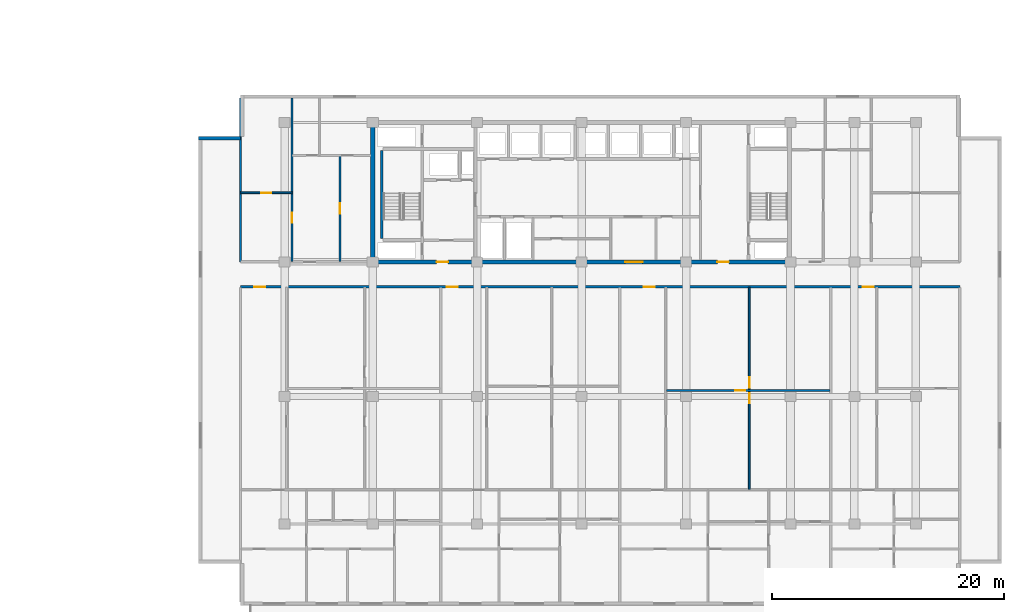
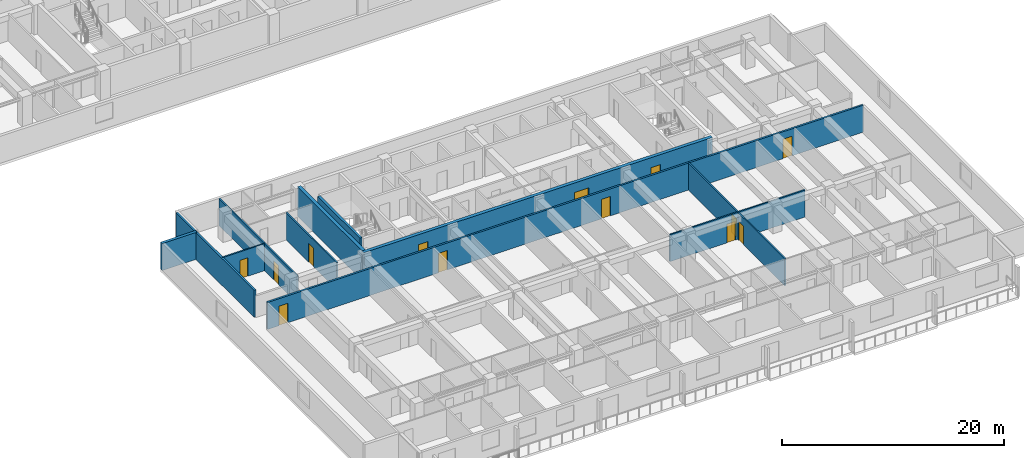
# One storey, part 5 of 23: 13 doors, 11 walls, 13 openings.
"""IFC4 building model written with IfcOpenShell, lengths in metres."""

from ifc_helpers import new_model, si_unit, direction, frame, frame_2d, origin, place, context, subcontext, project, spatial, rectangle, extrude, material, layer, layer_set, type_object, element, fill, save


model = new_model("IFC4")

# Units and contexts
model_context = context("Model", 3, precision=1e-05, world=origin(), true_north=direction((0.0, 1.0)))
body_context = subcontext(model_context, "Body", "Model", "MODEL_VIEW")
ifc_project = project(units=[si_unit("LENGTHUNIT", "METRE"), si_unit("AREAUNIT", "SQUARE_METRE"), si_unit("VOLUMEUNIT", "CUBIC_METRE"), si_unit("PLANEANGLEUNIT", "RADIAN"), si_unit("MASSUNIT", "GRAM", prefix="KILO")], contexts=[model_context])

# Site, building, storey
site_placement = place(None, origin())
site = spatial("IfcSite", under=ifc_project, at=site_placement, CompositionType="ELEMENT")
building_placement = place(site_placement, origin())
building = spatial("IfcBuilding", under=site, at=building_placement, Name="Korimba Cascade Residences", CompositionType="ELEMENT")
storey_placement = place(building_placement, frame((0.0, 0.0, 50.0)))
storey = spatial("IfcBuildingStorey", under=building, at=storey_placement, Name="L13", CompositionType="ELEMENT", Elevation=50.0)

# Walls
ifc_material_1 = material(Name="Precast concrete C40/50", Category="concrete")
ifc_layer_1 = layer(ifc_material_1, 0.300048828125)
ifc_layer_set_1 = layer_set([ifc_layer_1], Name="Precast concrete C40/50")
wall_type_1 = type_object("IfcWallType", Name="EW-STONE-300", PredefinedType="STANDARD", material=ifc_layer_set_1)
wall_1_placement = place(storey_placement, frame((70.699951171875, 29.050048828125, 0.0), z_axis=(0.0, 0.0, 1.0), x_axis=(-1.0, 0.0, 0.0)))
element("IfcWall", 1, at=wall_1_placement, inside=storey, type_object=wall_type_1, Name="L13 T2 Perimeter Stone Wall E08", PredefinedType="STANDARD", context=body_context, shape_type="SweptSolid", body=[
    extrude(rectangle(XDim=3.599853515625, YDim=0.300048828125, at=frame_2d((1.7998046875, 0.0))), origin(), (0.0, 0.0, 1.0), 2.969970703125),
])
ifc_material_2 = material(Name="Concrete C65/80", Category="concrete")
ifc_layer_2 = layer(ifc_material_2, 0.35009765625)
ifc_layer_set_2 = layer_set([ifc_layer_2], Name="Concrete C65/80")
wall_type_2 = type_object("IfcWallType", Name="WAL-CORE-350", PredefinedType="SHEAR", material=ifc_layer_set_2)
wall_2_placement = place(storey_placement, frame((82.10009765625, 18.574951171875, 0.0), z_axis=(0.0, 0.0, 1.0), x_axis=(0.0, 1.0, 0.0)))
element("IfcWall", 2, at=wall_2_placement, inside=storey, type_object=wall_type_2, Name="L13 Core Shear Wall CW-L13-T2-W", PredefinedType="SHEAR", context=body_context, shape_type="SweptSolid", body=[
    extrude(rectangle(XDim=11.650146484375, YDim=0.35009765625, at=frame_2d((5.8251953125, 0.0))), origin(), (0.0, 0.0, 1.0), 3.25),
])

# Wall, openings, doors
wall_3_placement = place(storey_placement, frame((81.925048828125, 18.39990234375, 0.0), z_axis=(0.0, 0.0, 1.0), x_axis=(1.0, 0.0, 0.0)))
wall_3 = element("IfcWall", 3, at=wall_3_placement, inside=storey, type_object=wall_type_2, Name="L13 Core Shear Wall CW-L13-T2-S", PredefinedType="SHEAR", context=body_context, shape_type="SweptSolid", body=[
    extrude(rectangle(XDim=36.264892578125, YDim=0.35009765625, at=frame_2d((18.13232421875, 0.0))), origin(), (0.0, 0.0, 1.0), 3.25),
])
opening_1_placement = place(wall_3_placement, frame((5.675048828125, 0.0, 0.0)))
opening_1 = element("IfcOpeningElement", 4, at=opening_1_placement, cuts=wall_3, Name="Opening D-FD5", PredefinedType="OPENING", context=body_context, shape_type="SweptSolid", body=[
    extrude(rectangle(XDim=1.0, YDim=2.14990234375, at=frame_2d((0.5, 1.074951171875))), frame((0.0, 0.18505859375, 0.0), z_axis=(0.0, -1.0, 0.0), x_axis=(1.0, 0.0, 0.0)), (0.0, 0.0, 1.0), 0.3701171875),
])
opening_2_placement = place(wall_3_placement, frame((21.925048828125, 0.0, 0.0)))
opening_2 = element("IfcOpeningElement", 5, at=opening_2_placement, cuts=wall_3, Name="Opening D-FD8", PredefinedType="OPENING", context=body_context, shape_type="SweptSolid", body=[
    extrude(rectangle(XDim=1.5, YDim=2.199951171875, at=frame_2d((0.75, 1.10009765625))), frame((0.0, 0.18505859375, 0.0), z_axis=(0.0, -1.0, 0.0), x_axis=(1.0, 0.0, 0.0)), (0.0, 0.0, 1.0), 0.3701171875),
])
opening_3_placement = place(wall_3_placement, frame((29.875, 0.0, 0.0)))
opening_3 = element("IfcOpeningElement", 6, at=opening_3_placement, cuts=wall_3, Name="Opening D-FD5", PredefinedType="OPENING", context=body_context, shape_type="SweptSolid", body=[
    extrude(rectangle(XDim=1.0, YDim=2.14990234375, at=frame_2d((0.5, 1.074951171875))), frame((0.0, 0.18505859375, 0.0), z_axis=(0.0, -1.0, 0.0), x_axis=(1.0, 0.0, 0.0)), (0.0, 0.0, 1.0), 0.3701171875),
])
ifc_material_3 = material(Name="Fire-Rated Acoustic Timber Vestibule Door", Category="wood")
door_type_1 = type_object("IfcDoorType", Name="DR-FD90-1000", OperationType="NOTDEFINED", PredefinedType="DOOR", material=ifc_material_3)
door_1_placement = place(opening_1_placement, origin())
door_1 = element("IfcDoor", 7, at=door_1_placement, inside=storey, type_object=door_type_1, Name="L13 T2 West Core Vestibule Fire Door", OperationType="SINGLE_SWING_RIGHT", OverallHeight=2.14990234375, OverallWidth=1.0, PredefinedType="DOOR", context=body_context, shape_type="SweptSolid", body=[
    extrude(rectangle(XDim=1.0, YDim=2.14990234375, at=frame_2d((0.5, 1.074951171875))), frame((0.0, 0.02490234375, 0.0), z_axis=(0.0, -1.0, 0.0), x_axis=(1.0, 0.0, 0.0)), (0.0, 0.0, 1.0), 0.050048828125),
])
fill(opening_1, door_1)
door_2_placement = place(opening_3_placement, origin())
door_2 = element("IfcDoor", 8, at=door_2_placement, inside=storey, type_object=door_type_1, Name="L13 T2 East Stair Vestibule Fire Door", OperationType="SINGLE_SWING_LEFT", OverallHeight=2.14990234375, OverallWidth=1.0, PredefinedType="DOOR", context=body_context, shape_type="SweptSolid", body=[
    extrude(rectangle(XDim=1.0, YDim=2.14990234375, at=frame_2d((0.5, 1.074951171875))), frame((0.0, 0.02490234375, 0.0), z_axis=(0.0, -1.0, 0.0), x_axis=(1.0, 0.0, 0.0)), (0.0, 0.0, 1.0), 0.050048828125),
])
fill(opening_3, door_2)
ifc_material_4 = material(Name="Fire-Rated Glazed Lift Lobby Double Door", Category="glass")
door_type_2 = type_object("IfcDoorType", Name="DR-FD90-1500", OperationType="NOTDEFINED", PredefinedType="DOOR", material=ifc_material_4)
door_3_placement = place(opening_2_placement, origin())
door_3 = element("IfcDoor", 9, at=door_3_placement, inside=storey, type_object=door_type_2, Name="L13 T2 Lift Lobby Fire Door", OperationType="DOUBLE_DOOR_SINGLE_SWING", OverallHeight=2.199951171875, OverallWidth=1.5, PredefinedType="DOOR", context=body_context, shape_type="SweptSolid", body=[
    extrude(rectangle(XDim=1.5, YDim=2.199951171875, at=frame_2d((0.75, 1.10009765625))), frame((0.0, 0.02490234375, 0.0), z_axis=(0.0, -1.0, 0.0), x_axis=(1.0, 0.0, 0.0)), (0.0, 0.0, 1.0), 0.050048828125),
])
fill(opening_2, door_3)

# Wall
ifc_layer_3 = layer(ifc_material_1, 0.199951171875)
ifc_layer_set_3 = layer_set([ifc_layer_3], Name="Precast concrete C40/50")
wall_type_3 = type_object("IfcWallType", Name="WAL-IT-200", PredefinedType="PARTITIONING", material=ifc_layer_set_3)
wall_4_placement = place(storey_placement, frame((70.699951171875, 18.39990234375, 0.0), z_axis=(0.0, 0.0, 1.0), x_axis=(0.0, 1.0, 0.0)))
element("IfcWall", 10, at=wall_4_placement, inside=storey, type_object=wall_type_3, Name="L13 Partition Wall WAL-L13-T2-FW-WL", PredefinedType="PARTITIONING", context=body_context, shape_type="SweptSolid", body=[
    extrude(rectangle(XDim=14.10009765625, YDim=0.199951171875, at=frame_2d((7.050048828125, 0.0))), origin(), (0.0, 0.0, 1.0), 2.969970703125),
])

# Wall, openings, doors
wall_5_placement = place(storey_placement, frame((70.699951171875, 16.25, 0.0), z_axis=(0.0, 0.0, 1.0), x_axis=(1.0, 0.0, 0.0)))
wall_5 = element("IfcWall", 11, at=wall_5_placement, inside=storey, type_object=wall_type_3, Name="L13 Partition Wall WAL-L13-T2-CORS", PredefinedType="PARTITIONING", context=body_context, shape_type="SweptSolid", body=[
    extrude(rectangle(XDim=62.0, YDim=0.199951171875, at=frame_2d((31.0, 0.0))), origin(), (0.0, 0.0, 1.0), 2.969970703125),
])
opening_4_placement = place(wall_5_placement, frame((1.18603515625, 0.0, 0.0)))
opening_4 = element("IfcOpeningElement", 12, at=opening_4_placement, cuts=wall_5, Name="Opening D-UN1", PredefinedType="OPENING", context=body_context, shape_type="SweptSolid", body=[
    extrude(rectangle(XDim=0.949951171875, YDim=2.14990234375, at=frame_2d((0.47509765625, 1.074951171875))), frame((0.0, 0.10986328125, 0.0), z_axis=(0.0, -1.0, 0.0), x_axis=(1.0, 0.0, 0.0)), (0.0, 0.0, 1.0), 0.219970703125),
])
opening_5_placement = place(wall_5_placement, frame((17.770751953125, 0.0, 0.0)))
opening_5 = element("IfcOpeningElement", 13, at=opening_5_placement, cuts=wall_5, Name="Opening D-UN1", PredefinedType="OPENING", context=body_context, shape_type="SweptSolid", body=[
    extrude(rectangle(XDim=0.949951171875, YDim=2.14990234375, at=frame_2d((0.47509765625, 1.074951171875))), frame((0.0, 0.10986328125, 0.0), z_axis=(0.0, -1.0, 0.0), x_axis=(1.0, 0.0, 0.0)), (0.0, 0.0, 1.0), 0.219970703125),
])
opening_6_placement = place(wall_5_placement, frame((34.73291015625, 0.0, 0.0)))
opening_6 = element("IfcOpeningElement", 14, at=opening_6_placement, cuts=wall_5, Name="Opening D-UN1", PredefinedType="OPENING", context=body_context, shape_type="SweptSolid", body=[
    extrude(rectangle(XDim=0.949951171875, YDim=2.14990234375, at=frame_2d((0.47509765625, 1.074951171875))), frame((0.0, 0.10986328125, 0.0), z_axis=(0.0, -1.0, 0.0), x_axis=(1.0, 0.0, 0.0)), (0.0, 0.0, 1.0), 0.219970703125),
])
opening_7_placement = place(wall_5_placement, frame((53.64013671875, 0.0, 0.0)))
opening_7 = element("IfcOpeningElement", 15, at=opening_7_placement, cuts=wall_5, Name="Opening D-UN1", PredefinedType="OPENING", context=body_context, shape_type="SweptSolid", body=[
    extrude(rectangle(XDim=0.949951171875, YDim=2.14990234375, at=frame_2d((0.47509765625, 1.074951171875))), frame((0.0, 0.10986328125, 0.0), z_axis=(0.0, -1.0, 0.0), x_axis=(1.0, 0.0, 0.0)), (0.0, 0.0, 1.0), 0.219970703125),
])
ifc_material_5 = material(Name="Fire-Rated Hardwood Apartment Entrance Door", Category="wood")
door_type_3 = type_object("IfcDoorType", Name="DR-FD60-950", OperationType="NOTDEFINED", PredefinedType="DOOR", material=ifc_material_5)
door_4_placement = place(opening_4_placement, origin())
door_4 = element("IfcDoor", 16, at=door_4_placement, inside=storey, type_object=door_type_3, Name="Unit L13-T2-U01 Entrance Door", OperationType="SINGLE_SWING_RIGHT", OverallHeight=2.14990234375, OverallWidth=0.949951171875, PredefinedType="DOOR", context=body_context, shape_type="SweptSolid", body=[
    extrude(rectangle(XDim=0.949951171875, YDim=2.14990234375, at=frame_2d((0.47509765625, 1.074951171875))), frame((0.0, 0.02490234375, 0.0), z_axis=(0.0, -1.0, 0.0), x_axis=(1.0, 0.0, 0.0)), (0.0, 0.0, 1.0), 0.050048828125),
])
fill(opening_4, door_4)
door_5_placement = place(opening_5_placement, origin())
door_5 = element("IfcDoor", 17, at=door_5_placement, inside=storey, type_object=door_type_3, Name="Unit L13-T2-U02 Entrance Door", OperationType="SINGLE_SWING_LEFT", OverallHeight=2.14990234375, OverallWidth=0.949951171875, PredefinedType="DOOR", context=body_context, shape_type="SweptSolid", body=[
    extrude(rectangle(XDim=0.949951171875, YDim=2.14990234375, at=frame_2d((0.47509765625, 1.074951171875))), frame((0.0, 0.02490234375, 0.0), z_axis=(0.0, -1.0, 0.0), x_axis=(1.0, 0.0, 0.0)), (0.0, 0.0, 1.0), 0.050048828125),
])
fill(opening_5, door_5)
door_6_placement = place(opening_6_placement, origin())
door_6 = element("IfcDoor", 18, at=door_6_placement, inside=storey, type_object=door_type_3, Name="Unit L13-T2-U03 Entrance Door", OperationType="SINGLE_SWING_RIGHT", OverallHeight=2.14990234375, OverallWidth=0.949951171875, PredefinedType="DOOR", context=body_context, shape_type="SweptSolid", body=[
    extrude(rectangle(XDim=0.949951171875, YDim=2.14990234375, at=frame_2d((0.47509765625, 1.074951171875))), frame((0.0, 0.02490234375, 0.0), z_axis=(0.0, -1.0, 0.0), x_axis=(1.0, 0.0, 0.0)), (0.0, 0.0, 1.0), 0.050048828125),
])
fill(opening_6, door_6)
door_7_placement = place(opening_7_placement, origin())
door_7 = element("IfcDoor", 19, at=door_7_placement, inside=storey, type_object=door_type_3, Name="Unit L13-T2-U04 Entrance Door", OperationType="SINGLE_SWING_LEFT", OverallHeight=2.14990234375, OverallWidth=0.949951171875, PredefinedType="DOOR", context=body_context, shape_type="SweptSolid", body=[
    extrude(rectangle(XDim=0.949951171875, YDim=2.14990234375, at=frame_2d((0.47509765625, 1.074951171875))), frame((0.0, 0.02490234375, 0.0), z_axis=(0.0, -1.0, 0.0), x_axis=(1.0, 0.0, 0.0)), (0.0, 0.0, 1.0), 0.050048828125),
])
fill(opening_7, door_7)

# Wall, opening, door
ifc_material_6 = material(Name="Insulated Acoustic Stud Partition", Category="gypsum")
ifc_layer_4 = layer(ifc_material_6, 0.14990234375)
ifc_layer_set_4 = layer_set([ifc_layer_4], Name="Insulated Acoustic Stud Partition")
wall_type_4 = type_object("IfcWallType", Name="WAL-PART-150", PredefinedType="PARTITIONING", material=ifc_layer_set_4)
wall_6_placement = place(storey_placement, frame((70.699951171875, 24.35009765625, 0.0), z_axis=(0.0, 0.0, 1.0), x_axis=(1.0, 0.0, 0.0)))
wall_6 = element("IfcWall", 20, at=wall_6_placement, inside=storey, type_object=wall_type_4, Name="L13 Partition Wall WAL-L13-T2-FW-STH", PredefinedType="PARTITIONING", context=body_context, shape_type="SweptSolid", body=[
    extrude(rectangle(XDim=4.449951171875, YDim=0.14990234375, at=frame_2d((2.22509765625, 0.0))), origin(), (0.0, 0.0, 1.0), 2.969970703125),
])
opening_8_placement = place(wall_6_placement, frame((1.804931640625, 0.0, 0.0)))
opening_8 = element("IfcOpeningElement", 21, at=opening_8_placement, cuts=wall_6, Name="Opening D-BT1", PredefinedType="OPENING", context=body_context, shape_type="SweptSolid", body=[
    extrude(rectangle(XDim=0.840087890625, YDim=2.0400390625, at=frame_2d((0.419921875, 1.02001953125))), frame((0.0, 0.0849609375, 0.0), z_axis=(0.0, -1.0, 0.0), x_axis=(1.0, 0.0, 0.0)), (0.0, 0.0, 1.0), 0.169921875),
])
ifc_material_7 = material(Name="Moisture-Resistant Bathroom Timber Door", Category="wood")
door_type_4 = type_object("IfcDoorType", Name="DR-INT-850", OperationType="NOTDEFINED", PredefinedType="DOOR", material=ifc_material_7)
door_8_placement = place(opening_8_placement, origin())
door_8 = element("IfcDoor", 22, at=door_8_placement, inside=storey, type_object=door_type_4, Name="L13-T2-FW Dressing Store Door", OperationType="SINGLE_SWING_RIGHT", OverallHeight=2.0400390625, OverallWidth=0.840087890625, PredefinedType="DOOR", context=body_context, shape_type="SweptSolid", body=[
    extrude(rectangle(XDim=0.840087890625, YDim=2.0400390625, at=frame_2d((0.419921875, 1.02001953125))), frame((0.0, 0.02490234375, 0.0), z_axis=(0.0, -1.0, 0.0), x_axis=(1.0, 0.0, 0.0)), (0.0, 0.0, 1.0), 0.050048828125),
])
fill(opening_8, door_8)

wall_7_placement = place(storey_placement, frame((75.14990234375, 18.449951171875, 0.0), z_axis=(0.0, 0.0, 1.0), x_axis=(0.0, 1.0, 0.0)))
wall_7 = element("IfcWall", 23, at=wall_7_placement, inside=storey, type_object=wall_type_4, Name="L13 Partition Wall WAL-L13-T2-FW-STV", PredefinedType="PARTITIONING", context=body_context, shape_type="SweptSolid", body=[
    extrude(rectangle(XDim=14.050048828125, YDim=0.14990234375, at=frame_2d((7.02490234375, 0.0))), origin(), (0.0, 0.0, 1.0), 2.969970703125),
])
opening_9_placement = place(wall_7_placement, frame((3.320068359375, 0.0, 0.0)))
opening_9 = element("IfcOpeningElement", 24, at=opening_9_placement, cuts=wall_7, Name="Opening D-IN2", PredefinedType="OPENING", context=body_context, shape_type="SweptSolid", body=[
    extrude(rectangle(XDim=0.8798828125, YDim=2.06005859375, at=frame_2d((0.43994140625, 1.030029296875))), frame((0.0, 0.0849609375, 0.0), z_axis=(0.0, -1.0, 0.0), x_axis=(1.0, 0.0, 0.0)), (0.0, 0.0, 1.0), 0.169921875),
])
ifc_material_8 = material(Name="Acoustic Timber Bedroom Door", Category="wood")
door_type_5 = type_object("IfcDoorType", Name="DR-INT-880", OperationType="NOTDEFINED", PredefinedType="DOOR", material=ifc_material_8)
door_9_placement = place(opening_9_placement, origin())
door_9 = element("IfcDoor", 25, at=door_9_placement, inside=storey, type_object=door_type_5, Name="L13-T2-FW Study Door", OperationType="SINGLE_SWING_LEFT", OverallHeight=2.06005859375, OverallWidth=0.8798828125, PredefinedType="DOOR", context=body_context, shape_type="SweptSolid", body=[
    extrude(rectangle(XDim=0.8798828125, YDim=2.06005859375, at=frame_2d((0.43994140625, 1.030029296875))), frame((0.0, 0.02490234375, 0.0), z_axis=(0.0, -1.0, 0.0), x_axis=(1.0, 0.0, 0.0)), (0.0, 0.0, 1.0), 0.050048828125),
])
fill(opening_9, door_9)

wall_8_placement = place(storey_placement, frame((79.27001953125, 18.449951171875, 0.0), z_axis=(0.0, 0.0, 1.0), x_axis=(0.0, 1.0, 0.0)))
wall_8 = element("IfcWall", 26, at=wall_8_placement, inside=storey, type_object=wall_type_4, Name="L13 Partition Wall WAL-L13-T2-FW-VS", PredefinedType="PARTITIONING", context=body_context, shape_type="SweptSolid", body=[
    extrude(rectangle(XDim=9.1201171875, YDim=0.14990234375, at=frame_2d((4.56005859375, 0.0))), origin(), (0.0, 0.0, 1.0), 2.969970703125),
])
opening_10_placement = place(wall_8_placement, frame((4.10009765625, 0.0, 0.0)))
opening_10 = element("IfcOpeningElement", 27, at=opening_10_placement, cuts=wall_8, Name="Opening D-IN1", PredefinedType="OPENING", context=body_context, shape_type="SweptSolid", body=[
    extrude(rectangle(XDim=0.919921875, YDim=2.080078125, at=frame_2d((0.4599609375, 1.0400390625))), frame((0.0, 0.0849609375, 0.0), z_axis=(0.0, -1.0, 0.0), x_axis=(1.0, 0.0, 0.0)), (0.0, 0.0, 1.0), 0.169921875),
])
ifc_material_9 = material(Name="Acoustic Timber Living Door", Category="wood")
door_type_6 = type_object("IfcDoorType", Name="DR-INT-920", OperationType="NOTDEFINED", PredefinedType="DOOR", material=ifc_material_9)
door_10_placement = place(opening_10_placement, origin())
door_10 = element("IfcDoor", 28, at=door_10_placement, inside=storey, type_object=door_type_6, Name="L13-T2-FW Living Door", OperationType="SINGLE_SWING_RIGHT", OverallHeight=2.080078125, OverallWidth=0.919921875, PredefinedType="DOOR", context=body_context, shape_type="SweptSolid", body=[
    extrude(rectangle(XDim=0.919921875, YDim=2.080078125, at=frame_2d((0.4599609375, 1.0400390625))), frame((0.0, 0.02490234375, 0.0), z_axis=(0.0, -1.0, 0.0), x_axis=(1.0, 0.0, 0.0)), (0.0, 0.0, 1.0), 0.050048828125),
])
fill(opening_10, door_10)

# Wall, openings, doors
wall_9_placement = place(storey_placement, frame((114.55419921875, -1.2099609375, 0.0), z_axis=(0.0, 0.0, 1.0), x_axis=(0.0, 1.0, 0.0)))
wall_9 = element("IfcWall", 29, at=wall_9_placement, inside=storey, type_object=wall_type_4, Name="L13 Partition Wall WAL-L13-T2-U03-FMV", PredefinedType="PARTITIONING", context=body_context, shape_type="SweptSolid", body=[
    extrude(rectangle(XDim=17.39990234375, YDim=0.14990234375, at=frame_2d((8.699951171875, 0.0))), origin(), (0.0, 0.0, 1.0), 2.969970703125),
])
opening_11_placement = place(wall_9_placement, frame((7.429931640625, 0.0, 0.0)))
opening_11 = element("IfcOpeningElement", 30, at=opening_11_placement, cuts=wall_9, Name="Opening D-BT1", PredefinedType="OPENING", context=body_context, shape_type="SweptSolid", body=[
    extrude(rectangle(XDim=0.840087890625, YDim=2.0400390625, at=frame_2d((0.419921875, 1.02001953125))), frame((0.0, 0.0849609375, 0.0), z_axis=(0.0, -1.0, 0.0), x_axis=(1.0, 0.0, 0.0)), (0.0, 0.0, 1.0), 0.169921875),
])
opening_12_placement = place(wall_9_placement, frame((8.77001953125, 0.0, 0.0)))
opening_12 = element("IfcOpeningElement", 31, at=opening_12_placement, cuts=wall_9, Name="Opening D-IN2", PredefinedType="OPENING", context=body_context, shape_type="SweptSolid", body=[
    extrude(rectangle(XDim=0.8798828125, YDim=2.06005859375, at=frame_2d((0.43994140625, 1.030029296875))), frame((0.0, 0.0849609375, 0.0), z_axis=(0.0, -1.0, 0.0), x_axis=(1.0, 0.0, 0.0)), (0.0, 0.0, 1.0), 0.169921875),
])
door_11_placement = place(opening_11_placement, origin())
door_11 = element("IfcDoor", 32, at=door_11_placement, inside=storey, type_object=door_type_4, Name="L13-T2-U03 Wardrobe Door", OperationType="SINGLE_SWING_RIGHT", OverallHeight=2.0400390625, OverallWidth=0.840087890625, PredefinedType="DOOR", context=body_context, shape_type="SweptSolid", body=[
    extrude(rectangle(XDim=0.840087890625, YDim=2.0400390625, at=frame_2d((0.419921875, 1.02001953125))), frame((0.0, 0.02490234375, 0.0), z_axis=(0.0, -1.0, 0.0), x_axis=(1.0, 0.0, 0.0)), (0.0, 0.0, 1.0), 0.050048828125),
])
fill(opening_11, door_11)
door_12_placement = place(opening_12_placement, origin())
door_12 = element("IfcDoor", 33, at=door_12_placement, inside=storey, type_object=door_type_5, Name="L13-T2-U03 Music Lounge Door", OperationType="SINGLE_SWING_LEFT", OverallHeight=2.06005859375, OverallWidth=0.8798828125, PredefinedType="DOOR", context=body_context, shape_type="SweptSolid", body=[
    extrude(rectangle(XDim=0.8798828125, YDim=2.06005859375, at=frame_2d((0.43994140625, 1.030029296875))), frame((0.0, 0.02490234375, 0.0), z_axis=(0.0, -1.0, 0.0), x_axis=(1.0, 0.0, 0.0)), (0.0, 0.0, 1.0), 0.050048828125),
])
fill(opening_12, door_12)

# Wall, opening, door
wall_10_placement = place(storey_placement, frame((107.41796875, 7.31005859375, 0.0), z_axis=(0.0, 0.0, 1.0), x_axis=(1.0, 0.0, 0.0)))
wall_10 = element("IfcWall", 34, at=wall_10_placement, inside=storey, type_object=wall_type_4, Name="L13 Partition Wall WAL-L13-T2-U03-FMH", PredefinedType="PARTITIONING", context=body_context, shape_type="SweptSolid", body=[
    extrude(rectangle(XDim=14.072021484375, YDim=0.14990234375, at=frame_2d((7.0361328125, 0.0))), origin(), (0.0, 0.0, 1.0), 2.969970703125),
])
opening_13_placement = place(wall_10_placement, frame((5.92236328125, 0.0, 0.0)))
opening_13 = element("IfcOpeningElement", 35, at=opening_13_placement, cuts=wall_10, Name="Opening D-IN2", PredefinedType="OPENING", context=body_context, shape_type="SweptSolid", body=[
    extrude(rectangle(XDim=0.8798828125, YDim=2.06005859375, at=frame_2d((0.43994140625, 1.030029296875))), frame((0.0, 0.0849609375, 0.0), z_axis=(0.0, -1.0, 0.0), x_axis=(1.0, 0.0, 0.0)), (0.0, 0.0, 1.0), 0.169921875),
])
door_13_placement = place(opening_13_placement, origin())
door_13 = element("IfcDoor", 36, at=door_13_placement, inside=storey, type_object=door_type_5, Name="L13-T2-U03 Library Salon Door", OperationType="SINGLE_SWING_RIGHT", OverallHeight=2.06005859375, OverallWidth=0.8798828125, PredefinedType="DOOR", context=body_context, shape_type="SweptSolid", body=[
    extrude(rectangle(XDim=0.8798828125, YDim=2.06005859375, at=frame_2d((0.43994140625, 1.030029296875))), frame((0.0, 0.02490234375, 0.0), z_axis=(0.0, -1.0, 0.0), x_axis=(1.0, 0.0, 0.0)), (0.0, 0.0, 1.0), 0.050048828125),
])
fill(opening_13, door_13)

# Wall
ifc_material_10 = material(Name="Concrete C50/60", Category="concrete")
ifc_layer_5 = layer(ifc_material_10, 0.25)
ifc_layer_set_5 = layer_set([ifc_layer_5], Name="Concrete C50/60")
wall_type_5 = type_object("IfcWallType", Name="WAL-SHAFT-250", PredefinedType="SHEAR", material=ifc_layer_set_5)
wall_11_placement = place(storey_placement, frame((82.875, 20.39990234375, 0.0), z_axis=(0.0, 0.0, 1.0), x_axis=(0.0, 1.0, 0.0)))
element("IfcWall", 37, at=wall_11_placement, inside=storey, type_object=wall_type_5, Name="L13 Core Shear Wall CW-L13-T2-STE1W", PredefinedType="SHEAR", context=body_context, shape_type="SweptSolid", body=[
    extrude(rectangle(XDim=7.60009765625, YDim=0.25, at=frame_2d((3.800048828125, 0.0))), origin(), (0.0, 0.0, 1.0), 3.25),
])

save(model, "model.ifc")
